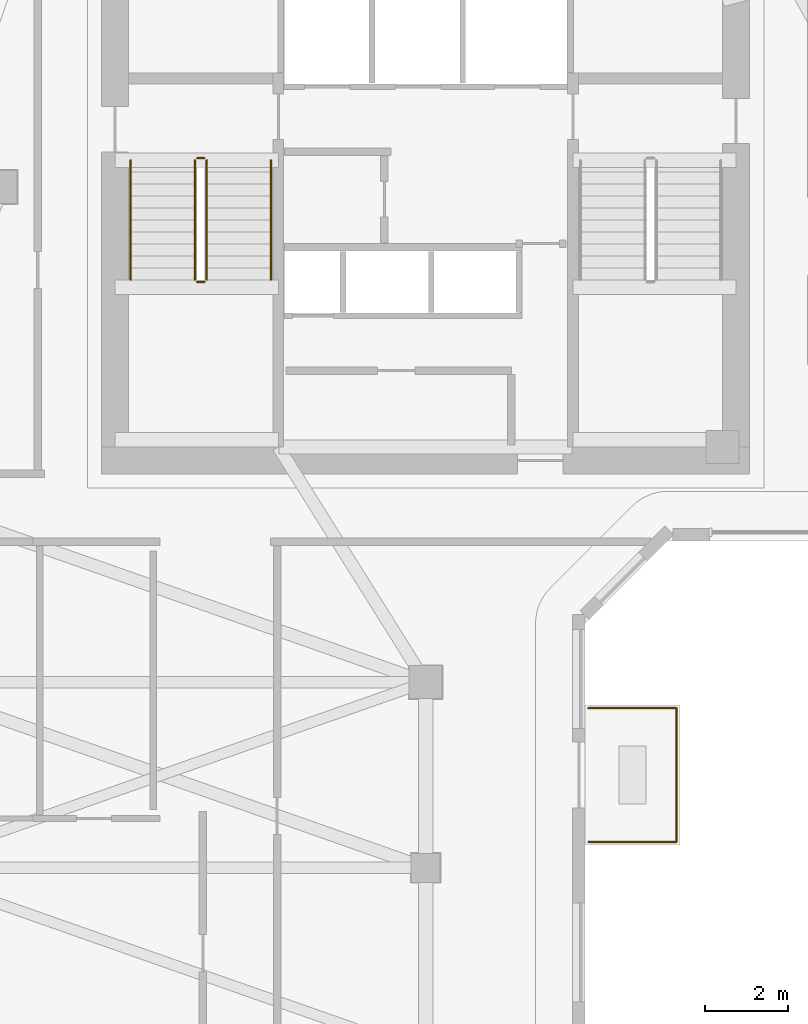
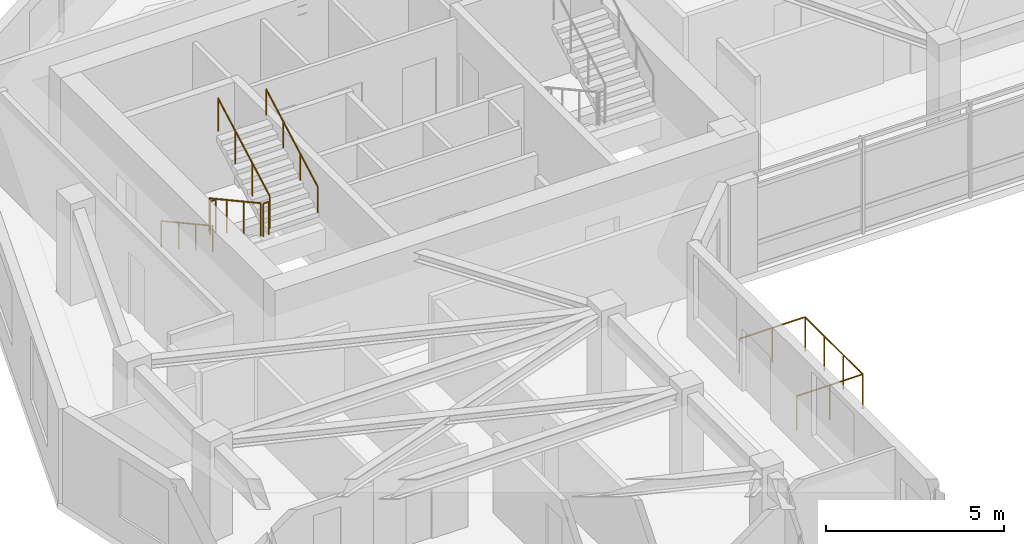
# One storey, part 8 of 10: 9 railings.
"""IFC4 building model written with IfcOpenShell, lengths in metres."""

from ifc_helpers import new_model, si_unit, direction, frame, origin, origin_2d, place, context, subcontext, project, spatial, circle, extrude, material, type_object, element, save


model = new_model("IFC4")

# Units and contexts
model_context = context("Model", 3, precision=1e-05, world=origin(), true_north=direction((0.0, 1.0)))
body_context = subcontext(model_context, "Body", "Model", "MODEL_VIEW")
ifc_project = project(units=[si_unit("LENGTHUNIT", "METRE"), si_unit("AREAUNIT", "SQUARE_METRE"), si_unit("VOLUMEUNIT", "CUBIC_METRE"), si_unit("PLANEANGLEUNIT", "RADIAN"), si_unit("MASSUNIT", "GRAM", prefix="KILO")], contexts=[model_context])

# Site, building, storey
site_placement = place(None, origin())
site = spatial("IfcSite", under=ifc_project, at=site_placement, CompositionType="ELEMENT")
building_placement = place(site_placement, origin())
building = spatial("IfcBuilding", under=site, at=building_placement, Name="Calvemar Wedge Station Tower", CompositionType="ELEMENT")
storey_placement = place(building_placement, frame((0.0, 0.0, 200.89990234375)))
storey = spatial("IfcBuildingStorey", under=building, at=storey_placement, Name="L50", CompositionType="ELEMENT", Elevation=200.89990234375)

# Railings
ifc_material_1 = material(Name="Stainless steel AISI 316L", Category="steel")
railing_type_1 = type_object("IfcRailingType", Name="GRD-TERR-1200", PredefinedType="GUARDRAIL", material=ifc_material_1)
railing_1_placement = place(storey_placement, frame((27.743896484375, 27.8701171875, 0.0)))
element("IfcRailing", 1, at=railing_1_placement, inside=storey, type_object=railing_type_1, Name="Storey L50 Spiral Terrace Guard 2", PredefinedType="GUARDRAIL", context=body_context, shape_type="SweptSolid", body=[
    extrude(circle(Radius=0.02392578125, at=origin_2d()), frame((0.0, 0.0, 1.17578125), z_axis=(1.0, 0.0, 0.0), x_axis=(0.0, 1.0, 0.0)), (0.0, 0.0, 1.0), 2.14013671875),
    extrude(circle(Radius=0.02099609375, at=origin_2d()), origin(), (0.0, 0.0, 1.0), 1.15185546875),
    extrude(circle(Radius=0.02099609375, at=origin_2d()), frame((1.070068359375, 0.0, 0.0)), (0.0, 0.0, 1.0), 1.15185546875),
    extrude(circle(Radius=0.02099609375, at=origin_2d()), frame((2.14013671875, 0.0, 0.0)), (0.0, 0.0, 1.0), 1.15185546875),
])
railing_2_placement = place(storey_placement, frame((29.884033203125, 27.8701171875, 0.0)))
element("IfcRailing", 2, at=railing_2_placement, inside=storey, type_object=railing_type_1, Name="Storey L50 Spiral Terrace Guard 3", PredefinedType="GUARDRAIL", context=body_context, shape_type="SweptSolid", body=[
    extrude(circle(Radius=0.02392578125, at=origin_2d()), frame((0.0, 0.0, 1.17578125), z_axis=(0.0, -1.0, 0.0), x_axis=(1.0, 0.0, 0.0)), (0.0, 0.0, 1.0), 3.240234375),
    extrude(circle(Radius=0.02099609375, at=origin_2d()), origin(), (0.0, 0.0, 1.0), 1.15185546875),
    extrude(circle(Radius=0.02099609375, at=origin_2d()), frame((0.0, -1.080078125, 0.0)), (0.0, 0.0, 1.0), 1.15185546875),
    extrude(circle(Radius=0.02099609375, at=origin_2d()), frame((0.0, -2.16015625, 0.0)), (0.0, 0.0, 1.0), 1.15185546875),
    extrude(circle(Radius=0.02099609375, at=origin_2d()), frame((0.0, -3.240234375, 0.0)), (0.0, 0.0, 1.0), 1.15185546875),
])
railing_3_placement = place(storey_placement, frame((29.884033203125, 24.6298828125, 0.0)))
element("IfcRailing", 3, at=railing_3_placement, inside=storey, type_object=railing_type_1, Name="Storey L50 Spiral Terrace Guard 4", PredefinedType="GUARDRAIL", context=body_context, shape_type="SweptSolid", body=[
    extrude(circle(Radius=0.02392578125, at=origin_2d()), frame((0.0, 0.0, 1.17578125), z_axis=(-1.0, 0.0, 0.0), x_axis=(0.0, -1.0, 0.0)), (0.0, 0.0, 1.0), 2.14013671875),
    extrude(circle(Radius=0.02099609375, at=origin_2d()), origin(), (0.0, 0.0, 1.0), 1.15185546875),
    extrude(circle(Radius=0.02099609375, at=origin_2d()), frame((-1.070068359375, 0.0, 0.0)), (0.0, 0.0, 1.0), 1.15185546875),
    extrude(circle(Radius=0.02099609375, at=origin_2d()), frame((-2.14013671875, 0.0, 0.0)), (0.0, 0.0, 1.0), 1.15185546875),
])
railing_type_2 = type_object("IfcRailingType", Name="RL-HANDRAIL-920", PredefinedType="HANDRAIL", material=ifc_material_1)
railing_4_placement = place(storey_placement, frame((16.64990234375, 41.14990234375, 0.1591796875)))
element("IfcRailing", 4, at=railing_4_placement, inside=storey, type_object=railing_type_2, Name="L50 ST-C1 stair handrail 1", PredefinedType="HANDRAIL", context=body_context, shape_type="SweptSolid", body=[
    extrude(circle(Radius=0.02392578125, at=origin_2d()), frame((0.0, 0.0, 0.89599609375), z_axis=(0.0, -0.876742130028, 0.480960744171), x_axis=(1.0, 0.0, 0.0)), (0.0, 0.0, 1.0), 3.3076171875),
    extrude(circle(Radius=0.02099609375, at=origin_2d()), origin(), (0.0, 0.0, 1.0), 0.871826171875),
    extrude(circle(Radius=0.02099609375, at=origin_2d()), frame((0.0, -0.966552734375, 0.5302734375)), (0.0, 0.0, 1.0), 0.871826171875),
    extrude(circle(Radius=0.02099609375, at=origin_2d()), frame((0.0, -1.933349609375, 1.060546875)), (0.0, 0.0, 1.0), 0.871826171875),
    extrude(circle(Radius=0.02099609375, at=origin_2d()), frame((0.0, -2.89990234375, 1.5908203125)), (0.0, 0.0, 1.0), 0.871826171875),
])
railing_5_placement = place(storey_placement, frame((20.050048828125, 38.25, 1.9091796875)))
element("IfcRailing", 5, at=railing_5_placement, inside=storey, type_object=railing_type_2, Name="L50 ST-C1 stair handrail 2", PredefinedType="HANDRAIL", context=body_context, shape_type="SweptSolid", body=[
    extrude(circle(Radius=0.02392578125, at=origin_2d()), frame((0.0, 0.0, 0.89599609375), z_axis=(0.0, 0.876742130028, 0.480960744171), x_axis=(-1.0, 0.0, 0.0)), (0.0, 0.0, 1.0), 3.3076171875),
    extrude(circle(Radius=0.02099609375, at=origin_2d()), origin(), (0.0, 0.0, 1.0), 0.871826171875),
    extrude(circle(Radius=0.02099609375, at=origin_2d()), frame((0.0, 0.966552734375, 0.5302734375)), (0.0, 0.0, 1.0), 0.871826171875),
    extrude(circle(Radius=0.02099609375, at=origin_2d()), frame((0.0, 1.933349609375, 1.060546875)), (0.0, 0.0, 1.0), 0.871826171875),
    extrude(circle(Radius=0.02099609375, at=origin_2d()), frame((0.0, 2.89990234375, 1.5908203125)), (0.0, 0.0, 1.0), 0.871826171875),
])
ifc_material_2 = material(Name="Painted steel guardrail ASTM A500 Grade C", Category="steel")
railing_type_3 = type_object("IfcRailingType", Name="RL-STAIR-GUARD-1150", PredefinedType="GUARDRAIL", material=ifc_material_2)
railing_6_placement = place(storey_placement, frame((18.2099609375, 41.14990234375, 0.1591796875)))
element("IfcRailing", 6, at=railing_6_placement, inside=storey, type_object=railing_type_3, Name="L50 ST-C1 stair guard 1", PredefinedType="GUARDRAIL", context=body_context, shape_type="SweptSolid", body=[
    extrude(circle(Radius=0.02392578125, at=origin_2d()), frame((0.0, 0.0, 1.1259765625), z_axis=(0.0, -0.876742130028, 0.480960744171), x_axis=(1.0, 0.0, 0.0)), (0.0, 0.0, 1.0), 3.3076171875),
    extrude(circle(Radius=0.02099609375, at=origin_2d()), origin(), (0.0, 0.0, 1.0), 1.101806640625),
    extrude(circle(Radius=0.02099609375, at=origin_2d()), frame((0.0, -0.966552734375, 0.5302734375)), (0.0, 0.0, 1.0), 1.101806640625),
    extrude(circle(Radius=0.02099609375, at=origin_2d()), frame((0.0, -1.933349609375, 1.060546875)), (0.0, 0.0, 1.0), 1.101806640625),
    extrude(circle(Radius=0.02099609375, at=origin_2d()), frame((0.0, -2.89990234375, 1.5908203125)), (0.0, 0.0, 1.0), 1.101806640625),
])
railing_7_placement = place(storey_placement, frame((18.260009765625, 38.199951171875, 1.75)))
element("IfcRailing", 7, at=railing_7_placement, inside=storey, type_object=railing_type_3, Name="L50 ST-C1 stair guard 2", PredefinedType="GUARDRAIL", context=body_context, shape_type="SweptSolid", body=[
    extrude(circle(Radius=0.02392578125, at=origin_2d()), frame((0.0, 0.0, 1.1259765625), z_axis=(1.0, 0.0, 0.0), x_axis=(0.0, 1.0, 0.0)), (0.0, 0.0, 1.0), 0.179931640625),
    extrude(circle(Radius=0.02099609375, at=origin_2d()), origin(), (0.0, 0.0, 1.0), 1.101806640625),
    extrude(circle(Radius=0.02099609375, at=origin_2d()), frame((0.179931640625, 0.0, 0.0)), (0.0, 0.0, 1.0), 1.101806640625),
])
railing_8_placement = place(storey_placement, frame((18.489990234375, 38.25, 1.9091796875)))
element("IfcRailing", 8, at=railing_8_placement, inside=storey, type_object=railing_type_3, Name="L50 ST-C1 stair guard 3", PredefinedType="GUARDRAIL", context=body_context, shape_type="SweptSolid", body=[
    extrude(circle(Radius=0.02392578125, at=origin_2d()), frame((0.0, 0.0, 1.1259765625), z_axis=(0.0, 0.876742130028, 0.480960744171), x_axis=(-1.0, 0.0, 0.0)), (0.0, 0.0, 1.0), 3.3076171875),
    extrude(circle(Radius=0.02099609375, at=origin_2d()), origin(), (0.0, 0.0, 1.0), 1.101806640625),
    extrude(circle(Radius=0.02099609375, at=origin_2d()), frame((0.0, 0.966552734375, 0.5302734375)), (0.0, 0.0, 1.0), 1.101806640625),
    extrude(circle(Radius=0.02099609375, at=origin_2d()), frame((0.0, 1.933349609375, 1.060546875)), (0.0, 0.0, 1.0), 1.101806640625),
    extrude(circle(Radius=0.02099609375, at=origin_2d()), frame((0.0, 2.89990234375, 1.5908203125)), (0.0, 0.0, 1.0), 1.101806640625),
])
railing_9_placement = place(storey_placement, frame((18.260009765625, 41.199951171875, 0.0)))
element("IfcRailing", 9, at=railing_9_placement, inside=storey, type_object=railing_type_3, Name="L50 ST-C1 stair guard 4", PredefinedType="GUARDRAIL", context=body_context, shape_type="SweptSolid", body=[
    extrude(circle(Radius=0.02392578125, at=origin_2d()), frame((0.0, 0.0, 1.1259765625), z_axis=(1.0, 0.0, 0.0), x_axis=(0.0, 1.0, 0.0)), (0.0, 0.0, 1.0), 0.179931640625),
    extrude(circle(Radius=0.02099609375, at=origin_2d()), origin(), (0.0, 0.0, 1.0), 1.101806640625),
    extrude(circle(Radius=0.02099609375, at=origin_2d()), frame((0.179931640625, 0.0, 0.0)), (0.0, 0.0, 1.0), 1.101806640625),
])

save(model, "model.ifc")
